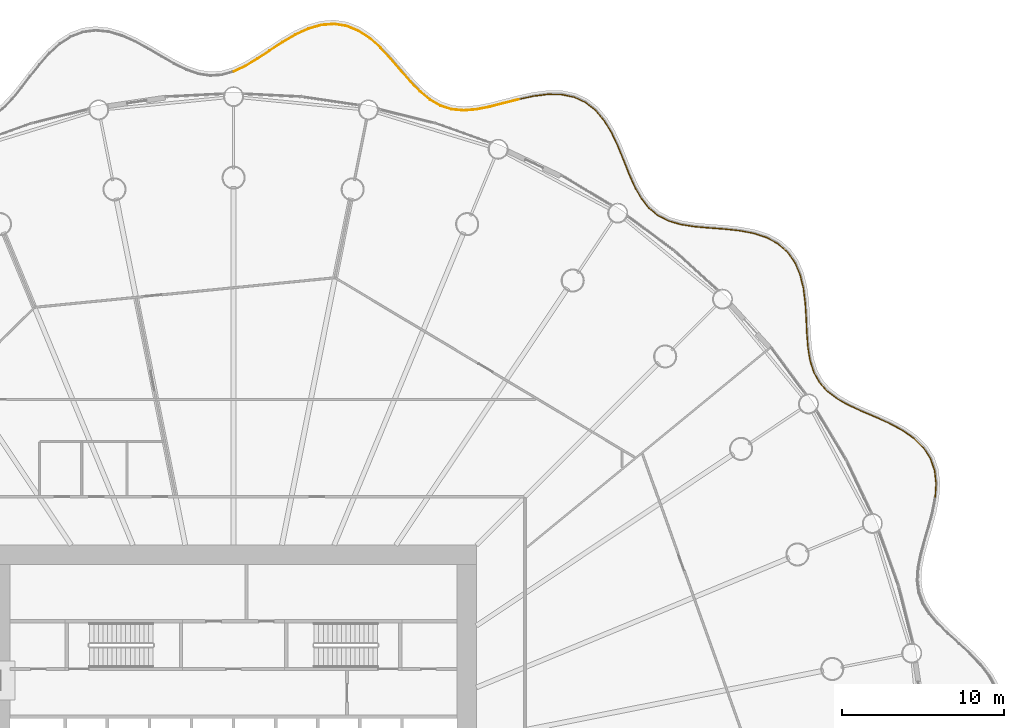
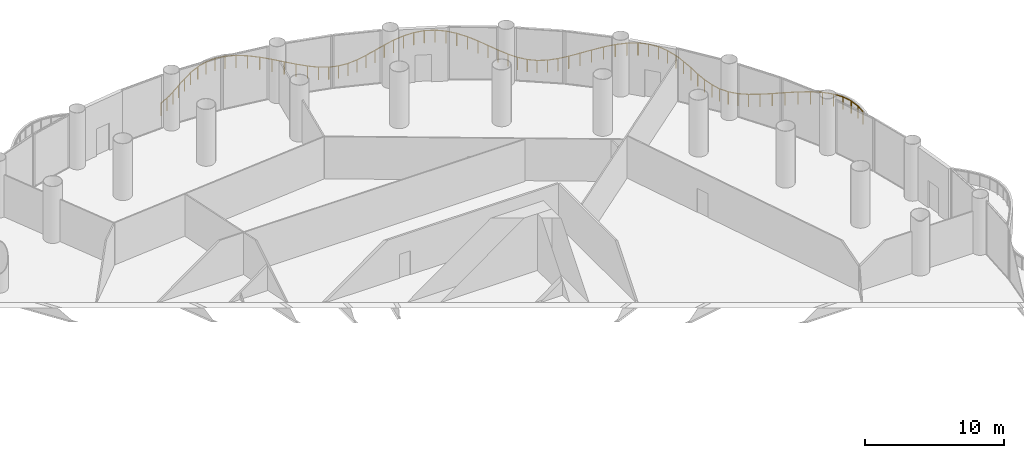
# One storey, part 35 of 35: 3 railings.
"""IFC4 building model written with IfcOpenShell, lengths in metres."""

from ifc_helpers import new_model, si_unit, direction, frame, origin, origin_2d, place, context, subcontext, project, spatial, circle, extrude, material, type_object, element, save


model = new_model("IFC4")

# Units and contexts
model_context = context("Model", 3, precision=1e-05, world=origin(), true_north=direction((0.0, 1.0)))
body_context = subcontext(model_context, "Body", "Model", "MODEL_VIEW")
ifc_project = project(units=[si_unit("LENGTHUNIT", "METRE"), si_unit("AREAUNIT", "SQUARE_METRE"), si_unit("VOLUMEUNIT", "CUBIC_METRE"), si_unit("PLANEANGLEUNIT", "RADIAN"), si_unit("MASSUNIT", "GRAM", prefix="KILO")], contexts=[model_context])

# Site, building, storey
site_placement = place(None, origin())
site = spatial("IfcSite", under=ifc_project, at=site_placement, CompositionType="ELEMENT")
building_placement = place(site_placement, origin())
building = spatial("IfcBuilding", under=site, at=building_placement, Name="Corvane Civic Tower", CompositionType="ELEMENT")
storey_placement = place(building_placement, frame((0.0, 0.0, 27.0)))
storey = spatial("IfcBuildingStorey", under=building, at=storey_placement, Name="L05", CompositionType="ELEMENT", Elevation=27.0)

# Railings
ifc_material = material(Name="Steel ASTM A572 Gr 50", Category="steel")
railing_type = type_object("IfcRailingType", Name="PODIUM-RL-GUARD-1100", PredefinedType="GUARDRAIL", material=ifc_material)
railing_1_placement = place(storey_placement, frame((43.336669921875, 17.974853515625, 0.0)))
element("IfcRailing", 1, at=railing_1_placement, inside=storey, type_object=railing_type, Name="L05 ribbon guard 14", PredefinedType="GUARDRAIL", context=body_context, shape_type="SweptSolid", body=[
    extrude(circle(Radius=0.02392578125, at=origin_2d()), frame((0.0, 0.0, 1.076171875), z_axis=(0.061887576155, 0.998083126757, 0.0), x_axis=(-0.998083126757, 0.061887576155, 0.0)), (0.0, 0.0, 1.0), 0.83642578125),
    extrude(circle(Radius=0.02392578125, at=origin_2d()), frame((0.0517578125, 0.834716796875, 1.076171875), z_axis=(-0.114156592688, 0.993462768475, 0.0), x_axis=(-0.993462768475, -0.114156592688, 0.0)), (0.0, 0.0, 1.0), 0.812744140625),
    extrude(circle(Radius=0.02392578125, at=origin_2d()), frame((-0.041015625, 1.64208984375, 1.076171875), z_axis=(-0.328375339933, 0.944547318097, 0.0), x_axis=(-0.944547318097, -0.328375339933, 0.0)), (0.0, 0.0, 1.0), 0.7822265625),
    extrude(circle(Radius=0.02392578125, at=origin_2d()), frame((-0.2978515625, 2.380859375, 1.076171875), z_axis=(-0.541119467015, 0.840945730959, 0.0), x_axis=(-0.840945730959, -0.541119467015, 0.0)), (0.0, 0.0, 1.0), 0.7841796875),
    extrude(circle(Radius=0.02392578125, at=origin_2d()), frame((-0.72216796875, 3.040283203125, 1.076171875), z_axis=(-0.709343264461, 0.704863201738, 0.0), x_axis=(-0.704863201738, -0.709343264461, 0.0)), (0.0, 0.0, 1.0), 0.8173828125),
    extrude(circle(Radius=0.02392578125, at=origin_2d()), frame((-1.302001953125, 3.616455078125, 1.076171875), z_axis=(-0.818635721865, 0.574313115718, 0.0), x_axis=(-0.574313115718, -0.818635721865, 0.0)), (0.0, 0.0, 1.0), 0.866455078125),
    extrude(circle(Radius=0.02392578125, at=origin_2d()), frame((-2.01123046875, 4.114013671875, 1.076171875), z_axis=(-0.88067761825, 0.473716088721, 0.0), x_axis=(-0.473716088721, -0.88067761825, 0.0)), (0.0, 0.0, 1.0), 0.91064453125),
    extrude(circle(Radius=0.02392578125, at=origin_2d()), frame((-2.813232421875, 4.54541015625, 1.076171875), z_axis=(-0.911161682007, 0.412049013155, 0.0), x_axis=(-0.412049013155, -0.911161682007, 0.0)), (0.0, 0.0, 1.0), 0.933837890625),
    extrude(circle(Radius=0.02392578125, at=origin_2d()), frame((-3.6640625, 4.93017578125, 1.076171875), z_axis=(-0.920015181369, 0.391882719764, 0.0), x_axis=(-0.391882719764, -0.920015181369, 0.0)), (0.0, 0.0, 1.0), 0.926513671875),
    extrude(circle(Radius=0.02392578125, at=origin_2d()), frame((-4.516357421875, 5.293212890625, 1.076171875), z_axis=(-0.909688003863, 0.41529234959, 0.0), x_axis=(-0.41529234959, -0.909688003863, 0.0)), (0.0, 0.0, 1.0), 0.888916015625),
    extrude(circle(Radius=0.02392578125, at=origin_2d()), frame((-5.324951171875, 5.662353515625, 1.076171875), z_axis=(-0.874115666585, 0.485717820787, 0.0), x_axis=(-0.485717820787, -0.874115666585, 0.0)), (0.0, 0.0, 1.0), 0.830322265625),
    extrude(circle(Radius=0.02392578125, at=origin_2d()), frame((-6.05078125, 6.065673828125, 1.076171875), z_axis=(-0.79812863736, 0.602487077227, 0.0), x_axis=(-0.602487077227, -0.79812863736, 0.0)), (0.0, 0.0, 1.0), 0.768798828125),
    extrude(circle(Radius=0.02392578125, at=origin_2d()), frame((-6.664306640625, 6.52880859375, 1.076171875), z_axis=(-0.66584226346, 0.746092541305, 0.0), x_axis=(-0.746092541305, -0.66584226346, 0.0)), (0.0, 0.0, 1.0), 0.72705078125),
    extrude(circle(Radius=0.02392578125, at=origin_2d()), frame((-7.1484375, 7.0712890625, 1.076171875), z_axis=(-0.485328341543, 0.874331974078, 0.0), x_axis=(-0.874331974078, -0.485328341543, 0.0)), (0.0, 0.0, 1.0), 0.724853515625),
    extrude(circle(Radius=0.02392578125, at=origin_2d()), frame((-7.500244140625, 7.705078125, 1.076171875), z_axis=(-0.30178990041, 0.953374457394, 0.0), x_axis=(-0.953374457394, -0.30178990041, 0.0)), (0.0, 0.0, 1.0), 0.762939453125),
    extrude(circle(Radius=0.02392578125, at=origin_2d()), frame((-7.73046875, 8.432373046875, 1.076171875), z_axis=(-0.160359970746, 0.987058599974, 0.0), x_axis=(-0.987058599974, -0.160359970746, 0.0)), (0.0, 0.0, 1.0), 0.82373046875),
    extrude(circle(Radius=0.02392578125, at=origin_2d()), frame((-7.862548828125, 9.245361328125, 1.076171875), z_axis=(-0.07542872719, 0.997151195714, 0.0), x_axis=(-0.997151195714, -0.07542872719, 0.0)), (0.0, 0.0, 1.0), 0.883544921875),
    extrude(circle(Radius=0.02392578125, at=origin_2d()), frame((-7.92919921875, 10.12646484375, 1.076171875), z_axis=(-0.044928131662, 0.998990221667, 0.0), x_axis=(-0.998990221667, -0.044928131662, 0.0)), (0.0, 0.0, 1.0), 0.923828125),
    extrude(circle(Radius=0.02392578125, at=origin_2d()), frame((-7.970703125, 11.04931640625, 1.076171875), z_axis=(-0.061662540567, 0.998097054945, 0.0), x_axis=(-0.998097054945, -0.061662540567, 0.0)), (0.0, 0.0, 1.0), 0.934326171875),
    extrude(circle(Radius=0.02392578125, at=origin_2d()), frame((-8.0283203125, 11.98193359375, 1.076171875), z_axis=(-0.125480400007, 0.99209609878, 0.0), x_axis=(-0.99209609878, -0.125480400007, 0.0)), (0.0, 0.0, 1.0), 0.91455078125),
    extrude(circle(Radius=0.02392578125, at=origin_2d()), frame((-8.14306640625, 12.88916015625, 1.076171875), z_axis=(-0.236401609899, 0.971655432155, 0.0), x_axis=(-0.971655432155, -0.236401609899, 0.0)), (0.0, 0.0, 1.0), 0.87158203125),
    extrude(circle(Radius=0.02392578125, at=origin_2d()), frame((-8.34912109375, 13.736083984375, 1.076171875), z_axis=(-0.392843922588, 0.919605161189, 0.0), x_axis=(-0.919605161189, -0.392843922588, 0.0)), (0.0, 0.0, 1.0), 0.822265625),
    extrude(circle(Radius=0.02392578125, at=origin_2d()), frame((-8.672119140625, 14.4921875, 1.076171875), z_axis=(-0.578060431514, 0.81599395679, 0.0), x_axis=(-0.81599395679, -0.578060431514, 0.0)), (0.0, 0.0, 1.0), 0.785888671875),
    extrude(circle(Radius=0.02392578125, at=origin_2d()), frame((-9.12646484375, 15.133544921875, 1.076171875), z_axis=(-0.753136596258, 0.657864170917, 0.0), x_axis=(-0.657864170917, -0.753136596258, 0.0)), (0.0, 0.0, 1.0), 0.755859375),
    extrude(circle(Radius=0.02099609375, at=origin_2d()), origin(), (0.0, 0.0, 1.0), 1.052001953125),
    extrude(circle(Radius=0.02099609375, at=origin_2d()), frame((0.0517578125, 0.834716796875, 0.0)), (0.0, 0.0, 1.0), 1.052001953125),
    extrude(circle(Radius=0.02099609375, at=origin_2d()), frame((-0.041015625, 1.64208984375, 0.0)), (0.0, 0.0, 1.0), 1.052001953125),
    extrude(circle(Radius=0.02099609375, at=origin_2d()), frame((-0.2978515625, 2.380859375, 0.0)), (0.0, 0.0, 1.0), 1.052001953125),
    extrude(circle(Radius=0.02099609375, at=origin_2d()), frame((-0.72216796875, 3.040283203125, 0.0)), (0.0, 0.0, 1.0), 1.052001953125),
    extrude(circle(Radius=0.02099609375, at=origin_2d()), frame((-1.302001953125, 3.616455078125, 0.0)), (0.0, 0.0, 1.0), 1.052001953125),
    extrude(circle(Radius=0.02099609375, at=origin_2d()), frame((-2.01123046875, 4.114013671875, 0.0)), (0.0, 0.0, 1.0), 1.052001953125),
    extrude(circle(Radius=0.02099609375, at=origin_2d()), frame((-2.813232421875, 4.54541015625, 0.0)), (0.0, 0.0, 1.0), 1.052001953125),
    extrude(circle(Radius=0.02099609375, at=origin_2d()), frame((-3.6640625, 4.93017578125, 0.0)), (0.0, 0.0, 1.0), 1.052001953125),
    extrude(circle(Radius=0.02099609375, at=origin_2d()), frame((-4.516357421875, 5.293212890625, 0.0)), (0.0, 0.0, 1.0), 1.052001953125),
    extrude(circle(Radius=0.02099609375, at=origin_2d()), frame((-5.324951171875, 5.662353515625, 0.0)), (0.0, 0.0, 1.0), 1.052001953125),
    extrude(circle(Radius=0.02099609375, at=origin_2d()), frame((-6.05078125, 6.065673828125, 0.0)), (0.0, 0.0, 1.0), 1.052001953125),
    extrude(circle(Radius=0.02099609375, at=origin_2d()), frame((-6.664306640625, 6.52880859375, 0.0)), (0.0, 0.0, 1.0), 1.052001953125),
    extrude(circle(Radius=0.02099609375, at=origin_2d()), frame((-7.1484375, 7.0712890625, 0.0)), (0.0, 0.0, 1.0), 1.052001953125),
    extrude(circle(Radius=0.02099609375, at=origin_2d()), frame((-7.500244140625, 7.705078125, 0.0)), (0.0, 0.0, 1.0), 1.052001953125),
    extrude(circle(Radius=0.02099609375, at=origin_2d()), frame((-7.73046875, 8.432373046875, 0.0)), (0.0, 0.0, 1.0), 1.052001953125),
    extrude(circle(Radius=0.02099609375, at=origin_2d()), frame((-7.862548828125, 9.245361328125, 0.0)), (0.0, 0.0, 1.0), 1.052001953125),
    extrude(circle(Radius=0.02099609375, at=origin_2d()), frame((-7.92919921875, 10.12646484375, 0.0)), (0.0, 0.0, 1.0), 1.052001953125),
    extrude(circle(Radius=0.02099609375, at=origin_2d()), frame((-7.970703125, 11.04931640625, 0.0)), (0.0, 0.0, 1.0), 1.052001953125),
    extrude(circle(Radius=0.02099609375, at=origin_2d()), frame((-8.0283203125, 11.98193359375, 0.0)), (0.0, 0.0, 1.0), 1.052001953125),
    extrude(circle(Radius=0.02099609375, at=origin_2d()), frame((-8.14306640625, 12.88916015625, 0.0)), (0.0, 0.0, 1.0), 1.052001953125),
    extrude(circle(Radius=0.02099609375, at=origin_2d()), frame((-8.34912109375, 13.736083984375, 0.0)), (0.0, 0.0, 1.0), 1.052001953125),
    extrude(circle(Radius=0.02099609375, at=origin_2d()), frame((-8.672119140625, 14.4921875, 0.0)), (0.0, 0.0, 1.0), 1.052001953125),
    extrude(circle(Radius=0.02099609375, at=origin_2d()), frame((-9.12646484375, 15.133544921875, 0.0)), (0.0, 0.0, 1.0), 1.052001953125),
    extrude(circle(Radius=0.02099609375, at=origin_2d()), frame((-9.69580078125, 15.630859375, 0.0)), (0.0, 0.0, 1.0), 1.052001953125),
])
railing_2_placement = place(storey_placement, frame((33.60009765625, 33.6337890625, 0.0)))
element("IfcRailing", 2, at=railing_2_placement, inside=storey, type_object=railing_type, Name="L05 ribbon guard 15", PredefinedType="GUARDRAIL", context=body_context, shape_type="SweptSolid", body=[
    extrude(circle(Radius=0.02392578125, at=origin_2d()), frame((0.0, 0.0, 1.076171875), z_axis=(-0.880361004263, 0.474304229554, 0.0), x_axis=(-0.474304229554, -0.880361004263, 0.0)), (0.0, 0.0, 1.0), 0.783447265625),
    extrude(circle(Radius=0.02392578125, at=origin_2d()), frame((-0.689697265625, 0.37158203125, 1.076171875), z_axis=(-0.951552568716, 0.307486111833, 0.0), x_axis=(-0.307486111833, -0.951552568716, 0.0)), (0.0, 0.0, 1.0), 0.85595703125),
    extrude(circle(Radius=0.02392578125, at=origin_2d()), frame((-1.504150390625, 0.634765625, 1.076171875), z_axis=(-0.983249711201, 0.182263560327, 0.0), x_axis=(-0.182263560327, -0.983249711201, 0.0)), (0.0, 0.0, 1.0), 0.90283203125),
    extrude(circle(Radius=0.02392578125, at=origin_2d()), frame((-2.391845703125, 0.79931640625, 1.076171875), z_axis=(-0.994539880598, 0.104357203395, 0.0), x_axis=(-0.104357203395, -0.994539880598, 0.0)), (0.0, 0.0, 1.0), 0.93115234375),
    extrude(circle(Radius=0.02392578125, at=origin_2d()), frame((-3.31787109375, 0.896484375, 1.076171875), z_axis=(-0.997356492386, 0.072663794948, 0.0), x_axis=(-0.072663794948, -0.997356492386, 0.0)), (0.0, 0.0, 1.0), 0.9306640625),
    extrude(circle(Radius=0.02392578125, at=origin_2d()), frame((-4.24609375, 0.964111328125, 1.076171875), z_axis=(-0.996145220254, 0.087719440061, 0.0), x_axis=(-0.087719440061, -0.996145220254, 0.0)), (0.0, 0.0, 1.0), 0.89892578125),
    extrude(circle(Radius=0.02392578125, at=origin_2d()), frame((-5.1416015625, 1.04296875, 1.076171875), z_axis=(-0.987942969504, 0.154818245075, 0.0), x_axis=(-0.154818245075, -0.987942969504, 0.0)), (0.0, 0.0, 1.0), 0.84375),
    extrude(circle(Radius=0.02392578125, at=origin_2d()), frame((-5.97509765625, 1.173583984375, 1.076171875), z_axis=(-0.960669700127, 0.277693585193, 0.0), x_axis=(-0.277693585193, -0.960669700127, 0.0)), (0.0, 0.0, 1.0), 0.78076171875),
    extrude(circle(Radius=0.02392578125, at=origin_2d()), frame((-6.72509765625, 1.390380859375, 1.076171875), z_axis=(-0.893091245841, 0.449875567909, 0.0), x_axis=(-0.449875567909, -0.893091245841, 0.0)), (0.0, 0.0, 1.0), 0.733154296875),
    extrude(circle(Radius=0.02392578125, at=origin_2d()), frame((-7.3798828125, 1.72021484375, 1.076171875), z_axis=(-0.773218013178, 0.634140287394, 0.0), x_axis=(-0.634140287394, -0.773218013178, 0.0)), (0.0, 0.0, 1.0), 0.721435546875),
    extrude(circle(Radius=0.02392578125, at=origin_2d()), frame((-7.937744140625, 2.177734375, 1.076171875), z_axis=(-0.625288442745, 0.780393723302, 0.0), x_axis=(-0.780393723302, -0.625288442745, 0.0)), (0.0, 0.0, 1.0), 0.75244140625),
    extrude(circle(Radius=0.02392578125, at=origin_2d()), frame((-8.408203125, 2.764892578125, 1.076171875), z_axis=(-0.494547800989, 0.869150431477, 0.0), x_axis=(-0.869150431477, -0.494547800989, 0.0)), (0.0, 0.0, 1.0), 0.81005859375),
    extrude(circle(Radius=0.02392578125, at=origin_2d()), frame((-8.808837890625, 3.468994140625, 1.076171875), z_axis=(-0.407359011643, 0.913268107202, 0.0), x_axis=(-0.913268107202, -0.407359011643, 0.0)), (0.0, 0.0, 1.0), 0.8720703125),
    extrude(circle(Radius=0.02392578125, at=origin_2d()), frame((-9.1640625, 4.265380859375, 1.076171875), z_axis=(-0.36872877104, 0.929537031757, 0.0), x_axis=(-0.929537031757, -0.36872877104, 0.0)), (0.0, 0.0, 1.0), 0.917724609375),
    extrude(circle(Radius=0.02392578125, at=origin_2d()), frame((-9.50244140625, 5.118408203125, 1.076171875), z_axis=(-0.375844544912, 0.926682727831, 0.0), x_axis=(-0.926682727831, -0.375844544912, 0.0)), (0.0, 0.0, 1.0), 0.934814453125),
    extrude(circle(Radius=0.02392578125, at=origin_2d()), frame((-9.853759765625, 5.984619140625, 1.076171875), z_axis=(-0.424916002999, 0.905232782435, 0.0), x_axis=(-0.905232782435, -0.424916002999, 0.0)), (0.0, 0.0, 1.0), 0.921142578125),
    extrude(circle(Radius=0.02392578125, at=origin_2d()), frame((-10.2451171875, 6.818359375, 1.076171875), z_axis=(-0.515309933617, 0.857003892824, 0.0), x_axis=(-0.857003892824, -0.515309933617, 0.0)), (0.0, 0.0, 1.0), 0.881591796875),
    extrude(circle(Radius=0.02392578125, at=origin_2d()), frame((-10.699462890625, 7.573974609375, 1.076171875), z_axis=(-0.64055952996, 0.767908515761, 0.0), x_axis=(-0.767908515761, -0.64055952996, 0.0)), (0.0, 0.0, 1.0), 0.83203125),
    extrude(circle(Radius=0.02392578125, at=origin_2d()), frame((-11.232421875, 8.212890625, 1.076171875), z_axis=(-0.782850211169, 0.622210211161, 0.0), x_axis=(-0.622210211161, -0.782850211169, 0.0)), (0.0, 0.0, 1.0), 0.791748046875),
    extrude(circle(Radius=0.02392578125, at=origin_2d()), frame((-11.852294921875, 8.70556640625, 1.076171875), z_axis=(-0.905958848672, 0.42336575737, 0.0), x_axis=(-0.42336575737, -0.905958848672, 0.0)), (0.0, 0.0, 1.0), 0.779052734375),
    extrude(circle(Radius=0.02392578125, at=origin_2d()), frame((-12.55810546875, 9.035400390625, 1.076171875), z_axis=(-0.978559496335, 0.20596434675, 0.0), x_axis=(-0.20596434675, -0.978559496335, 0.0)), (0.0, 0.0, 1.0), 0.800048828125),
    extrude(circle(Radius=0.02392578125, at=origin_2d()), frame((-13.341064453125, 9.2001953125, 1.076171875), z_axis=(-0.999873829142, 0.015884766205, 0.0), x_axis=(-0.015884766205, -0.999873829142, 0.0)), (0.0, 0.0, 1.0), 0.84521484375),
    extrude(circle(Radius=0.02392578125, at=origin_2d()), frame((-14.186279296875, 9.213623046875, 1.076171875), z_axis=(-0.992282078148, -0.124001118491, 0.0), x_axis=(0.124001118491, -0.992282078148, 0.0)), (0.0, 0.0, 1.0), 0.893798828125),
    extrude(circle(Radius=0.02392578125, at=origin_2d()), frame((-15.0732421875, 9.102783203125, 1.076171875), z_axis=(-0.977300736575, -0.211856721135, 0.0), x_axis=(0.211856721135, -0.977300736575, 0.0)), (0.0, 0.0, 1.0), 0.90234375),
    extrude(circle(Radius=0.02099609375, at=origin_2d()), origin(), (0.0, 0.0, 1.0), 1.052001953125),
    extrude(circle(Radius=0.02099609375, at=origin_2d()), frame((-0.689697265625, 0.37158203125, 0.0)), (0.0, 0.0, 1.0), 1.052001953125),
    extrude(circle(Radius=0.02099609375, at=origin_2d()), frame((-1.504150390625, 0.634765625, 0.0)), (0.0, 0.0, 1.0), 1.052001953125),
    extrude(circle(Radius=0.02099609375, at=origin_2d()), frame((-2.391845703125, 0.79931640625, 0.0)), (0.0, 0.0, 1.0), 1.052001953125),
    extrude(circle(Radius=0.02099609375, at=origin_2d()), frame((-3.31787109375, 0.896484375, 0.0)), (0.0, 0.0, 1.0), 1.052001953125),
    extrude(circle(Radius=0.02099609375, at=origin_2d()), frame((-4.24609375, 0.964111328125, 0.0)), (0.0, 0.0, 1.0), 1.052001953125),
    extrude(circle(Radius=0.02099609375, at=origin_2d()), frame((-5.1416015625, 1.04296875, 0.0)), (0.0, 0.0, 1.0), 1.052001953125),
    extrude(circle(Radius=0.02099609375, at=origin_2d()), frame((-5.97509765625, 1.173583984375, 0.0)), (0.0, 0.0, 1.0), 1.052001953125),
    extrude(circle(Radius=0.02099609375, at=origin_2d()), frame((-6.72509765625, 1.390380859375, 0.0)), (0.0, 0.0, 1.0), 1.052001953125),
    extrude(circle(Radius=0.02099609375, at=origin_2d()), frame((-7.3798828125, 1.72021484375, 0.0)), (0.0, 0.0, 1.0), 1.052001953125),
    extrude(circle(Radius=0.02099609375, at=origin_2d()), frame((-7.937744140625, 2.177734375, 0.0)), (0.0, 0.0, 1.0), 1.052001953125),
    extrude(circle(Radius=0.02099609375, at=origin_2d()), frame((-8.408203125, 2.764892578125, 0.0)), (0.0, 0.0, 1.0), 1.052001953125),
    extrude(circle(Radius=0.02099609375, at=origin_2d()), frame((-8.808837890625, 3.468994140625, 0.0)), (0.0, 0.0, 1.0), 1.052001953125),
    extrude(circle(Radius=0.02099609375, at=origin_2d()), frame((-9.1640625, 4.265380859375, 0.0)), (0.0, 0.0, 1.0), 1.052001953125),
    extrude(circle(Radius=0.02099609375, at=origin_2d()), frame((-9.50244140625, 5.118408203125, 0.0)), (0.0, 0.0, 1.0), 1.052001953125),
    extrude(circle(Radius=0.02099609375, at=origin_2d()), frame((-9.853759765625, 5.984619140625, 0.0)), (0.0, 0.0, 1.0), 1.052001953125),
    extrude(circle(Radius=0.02099609375, at=origin_2d()), frame((-10.2451171875, 6.818359375, 0.0)), (0.0, 0.0, 1.0), 1.052001953125),
    extrude(circle(Radius=0.02099609375, at=origin_2d()), frame((-10.699462890625, 7.573974609375, 0.0)), (0.0, 0.0, 1.0), 1.052001953125),
    extrude(circle(Radius=0.02099609375, at=origin_2d()), frame((-11.232421875, 8.212890625, 0.0)), (0.0, 0.0, 1.0), 1.052001953125),
    extrude(circle(Radius=0.02099609375, at=origin_2d()), frame((-11.852294921875, 8.70556640625, 0.0)), (0.0, 0.0, 1.0), 1.052001953125),
    extrude(circle(Radius=0.02099609375, at=origin_2d()), frame((-12.55810546875, 9.035400390625, 0.0)), (0.0, 0.0, 1.0), 1.052001953125),
    extrude(circle(Radius=0.02099609375, at=origin_2d()), frame((-13.341064453125, 9.2001953125, 0.0)), (0.0, 0.0, 1.0), 1.052001953125),
    extrude(circle(Radius=0.02099609375, at=origin_2d()), frame((-14.186279296875, 9.213623046875, 0.0)), (0.0, 0.0, 1.0), 1.052001953125),
    extrude(circle(Radius=0.02099609375, at=origin_2d()), frame((-15.0732421875, 9.102783203125, 0.0)), (0.0, 0.0, 1.0), 1.052001953125),
    extrude(circle(Radius=0.02099609375, at=origin_2d()), frame((-15.955078125, 8.91162109375, 0.0)), (0.0, 0.0, 1.0), 1.052001953125),
])
railing_3_placement = place(storey_placement, frame((17.596435546875, 42.53369140625, 0.0)))
element("IfcRailing", 3, at=railing_3_placement, inside=storey, type_object=railing_type, Name="L05 ribbon guard 16", PredefinedType="GUARDRAIL", context=body_context, shape_type="SweptSolid", body=[
    extrude(circle(Radius=0.02392578125, at=origin_2d()), frame((0.0, 0.0, 1.076171875), z_axis=(-0.967625834901, -0.252389071937, 0.0), x_axis=(0.252389071937, -0.967625834901, 0.0)), (0.0, 0.0, 1.0), 0.908203125),
    extrude(circle(Radius=0.02392578125, at=origin_2d()), frame((-0.87890625, -0.229248046875, 1.076171875), z_axis=(-0.968928678402, -0.247340284165, 0.0), x_axis=(0.247340284165, -0.968928678402, 0.0)), (0.0, 0.0, 1.0), 0.908203125),
    extrude(circle(Radius=0.02392578125, at=origin_2d()), frame((-1.7587890625, -0.453857421875, 1.076171875), z_axis=(-0.981157277714, -0.193210756401, 0.0), x_axis=(0.193210756401, -0.981157277714, 0.0)), (0.0, 0.0, 1.0), 0.856689453125),
    extrude(circle(Radius=0.02392578125, at=origin_2d()), frame((-2.599365234375, -0.619384765625, 1.076171875), z_axis=(-0.996719662281, -0.080931544051, 0.0), x_axis=(0.080931544051, -0.996719662281, 0.0)), (0.0, 0.0, 1.0), 0.79345703125),
    extrude(circle(Radius=0.02392578125, at=origin_2d()), frame((-3.39013671875, -0.68359375, 1.076171875), z_axis=(-0.995671475827, 0.09294252108, 0.0), x_axis=(-0.09294252108, -0.995671475827, 0.0)), (0.0, 0.0, 1.0), 0.74072265625),
    extrude(circle(Radius=0.02392578125, at=origin_2d()), frame((-4.127685546875, -0.61474609375, 1.076171875), z_axis=(-0.952671741947, 0.304000908049, 0.0), x_axis=(-0.304000908049, -0.952671741947, 0.0)), (0.0, 0.0, 1.0), 0.720458984375),
    extrude(circle(Radius=0.02392578125, at=origin_2d()), frame((-4.81396484375, -0.395751953125, 1.076171875), z_axis=(-0.865928333736, 0.500168092579, 0.0), x_axis=(-0.500168092579, -0.865928333736, 0.0)), (0.0, 0.0, 1.0), 0.742919921875),
    extrude(circle(Radius=0.02392578125, at=origin_2d()), frame((-5.457275390625, -0.024169921875, 1.076171875), z_axis=(-0.768246397082, 0.640154257481, 0.0), x_axis=(-0.640154257481, -0.768246397082, 0.0)), (0.0, 0.0, 1.0), 0.796630859375),
    extrude(circle(Radius=0.02392578125, at=origin_2d()), frame((-6.0693359375, 0.48583984375, 1.076171875), z_axis=(-0.693057647536, 0.720882165955, 0.0), x_axis=(-0.720882165955, -0.693057647536, 0.0)), (0.0, 0.0, 1.0), 0.85986328125),
    extrude(circle(Radius=0.02392578125, at=origin_2d()), frame((-6.665283203125, 1.105712890625, 1.076171875), z_axis=(-0.654297095356, 0.756237602218, 0.0), x_axis=(-0.756237602218, -0.654297095356, 0.0)), (0.0, 0.0, 1.0), 0.91015625),
    extrude(circle(Radius=0.02392578125, at=origin_2d()), frame((-7.2607421875, 1.7939453125, 1.076171875), z_axis=(-0.652039268828, 0.758185196312, 0.0), x_axis=(-0.758185196312, -0.652039268828, 0.0)), (0.0, 0.0, 1.0), 0.933837890625),
    extrude(circle(Radius=0.02392578125, at=origin_2d()), frame((-7.86962890625, 2.501953125, 1.076171875), z_axis=(-0.684896018256, 0.72864081973, 0.0), x_axis=(-0.72864081973, -0.684896018256, 0.0)), (0.0, 0.0, 1.0), 0.926513671875),
    extrude(circle(Radius=0.02392578125, at=origin_2d()), frame((-8.504150390625, 3.177001953125, 1.076171875), z_axis=(-0.748797877953, 0.662798414281, 0.0), x_axis=(-0.662798414281, -0.748797877953, 0.0)), (0.0, 0.0, 1.0), 0.891357421875),
    extrude(circle(Radius=0.02392578125, at=origin_2d()), frame((-9.171630859375, 3.767822265625, 1.076171875), z_axis=(-0.835511617619, 0.549472780786, 0.0), x_axis=(-0.549472780786, -0.835511617619, 0.0)), (0.0, 0.0, 1.0), 0.842529296875),
    extrude(circle(Radius=0.02392578125, at=origin_2d()), frame((-9.87548828125, 4.230712890625, 1.076171875), z_axis=(-0.925945868411, 0.377656257426, 0.0), x_axis=(-0.377656257426, -0.925945868411, 0.0)), (0.0, 0.0, 1.0), 0.79833984375),
    extrude(circle(Radius=0.02392578125, at=origin_2d()), frame((-10.61474609375, 4.5322265625, 1.076171875), z_axis=(-0.987740079957, 0.156107445198, 0.0), x_axis=(-0.156107445198, -0.987740079957, 0.0)), (0.0, 0.0, 1.0), 0.77880859375),
    extrude(circle(Radius=0.02392578125, at=origin_2d()), frame((-11.384033203125, 4.65380859375, 1.076171875), z_axis=(-0.997036356128, -0.076931817602, 0.0), x_axis=(0.076931817602, -0.997036356128, 0.0)), (0.0, 0.0, 1.0), 0.79345703125),
    extrude(circle(Radius=0.02392578125, at=origin_2d()), frame((-12.175048828125, 4.5927734375, 1.076171875), z_axis=(-0.96138033596, -0.275223272327, 0.0), x_axis=(0.275223272327, -0.96138033596, 0.0)), (0.0, 0.0, 1.0), 0.834716796875),
    extrude(circle(Radius=0.02392578125, at=origin_2d()), frame((-12.9775390625, 4.363037109375, 1.076171875), z_axis=(-0.909047390124, -0.416692743529, 0.0), x_axis=(0.416692743529, -0.909047390124, 0.0)), (0.0, 0.0, 1.0), 0.884033203125),
    extrude(circle(Radius=0.02392578125, at=origin_2d()), frame((-13.78125, 3.99462890625, 1.076171875), z_axis=(-0.863000398501, -0.505203238497, 0.0), x_axis=(0.505203238497, -0.863000398501, 0.0)), (0.0, 0.0, 1.0), 0.922607421875),
    extrude(circle(Radius=0.02392578125, at=origin_2d()), frame((-14.577392578125, 3.528564453125, 1.076171875), z_axis=(-0.835928065032, -0.548839020198, 0.0), x_axis=(0.548839020198, -0.835928065032, 0.0)), (0.0, 0.0, 1.0), 0.9345703125),
    extrude(circle(Radius=0.02392578125, at=origin_2d()), frame((-15.358642578125, 3.015625, 1.076171875), z_axis=(-0.833278542405, -0.552853389939, 0.0), x_axis=(0.552853389939, -0.833278542405, 0.0)), (0.0, 0.0, 1.0), 0.915771484375),
    extrude(circle(Radius=0.02392578125, at=origin_2d()), frame((-16.121826171875, 2.50927734375, 1.076171875), z_axis=(-0.857071265822, -0.515197870048, 0.0), x_axis=(0.515197870048, -0.857071265822, 0.0)), (0.0, 0.0, 1.0), 0.869140625),
    extrude(circle(Radius=0.02392578125, at=origin_2d()), frame((-16.86669921875, 2.0615234375, 1.076171875), z_axis=(-0.904556619747, -0.42635351725, 0.0), x_axis=(0.42635351725, -0.904556619747, 0.0)), (0.0, 0.0, 1.0), 0.78173828125),
    extrude(circle(Radius=0.02099609375, at=origin_2d()), origin(), (0.0, 0.0, 1.0), 1.052001953125),
    extrude(circle(Radius=0.02099609375, at=origin_2d()), frame((-0.87890625, -0.229248046875, 0.0)), (0.0, 0.0, 1.0), 1.052001953125),
    extrude(circle(Radius=0.02099609375, at=origin_2d()), frame((-1.7587890625, -0.453857421875, 0.0)), (0.0, 0.0, 1.0), 1.052001953125),
    extrude(circle(Radius=0.02099609375, at=origin_2d()), frame((-2.599365234375, -0.619384765625, 0.0)), (0.0, 0.0, 1.0), 1.052001953125),
    extrude(circle(Radius=0.02099609375, at=origin_2d()), frame((-3.39013671875, -0.68359375, 0.0)), (0.0, 0.0, 1.0), 1.052001953125),
    extrude(circle(Radius=0.02099609375, at=origin_2d()), frame((-4.127685546875, -0.61474609375, 0.0)), (0.0, 0.0, 1.0), 1.052001953125),
    extrude(circle(Radius=0.02099609375, at=origin_2d()), frame((-4.81396484375, -0.395751953125, 0.0)), (0.0, 0.0, 1.0), 1.052001953125),
    extrude(circle(Radius=0.02099609375, at=origin_2d()), frame((-5.457275390625, -0.024169921875, 0.0)), (0.0, 0.0, 1.0), 1.052001953125),
    extrude(circle(Radius=0.02099609375, at=origin_2d()), frame((-6.0693359375, 0.48583984375, 0.0)), (0.0, 0.0, 1.0), 1.052001953125),
    extrude(circle(Radius=0.02099609375, at=origin_2d()), frame((-6.665283203125, 1.105712890625, 0.0)), (0.0, 0.0, 1.0), 1.052001953125),
    extrude(circle(Radius=0.02099609375, at=origin_2d()), frame((-7.2607421875, 1.7939453125, 0.0)), (0.0, 0.0, 1.0), 1.052001953125),
    extrude(circle(Radius=0.02099609375, at=origin_2d()), frame((-7.86962890625, 2.501953125, 0.0)), (0.0, 0.0, 1.0), 1.052001953125),
    extrude(circle(Radius=0.02099609375, at=origin_2d()), frame((-8.504150390625, 3.177001953125, 0.0)), (0.0, 0.0, 1.0), 1.052001953125),
    extrude(circle(Radius=0.02099609375, at=origin_2d()), frame((-9.171630859375, 3.767822265625, 0.0)), (0.0, 0.0, 1.0), 1.052001953125),
    extrude(circle(Radius=0.02099609375, at=origin_2d()), frame((-9.87548828125, 4.230712890625, 0.0)), (0.0, 0.0, 1.0), 1.052001953125),
    extrude(circle(Radius=0.02099609375, at=origin_2d()), frame((-10.61474609375, 4.5322265625, 0.0)), (0.0, 0.0, 1.0), 1.052001953125),
    extrude(circle(Radius=0.02099609375, at=origin_2d()), frame((-11.384033203125, 4.65380859375, 0.0)), (0.0, 0.0, 1.0), 1.052001953125),
    extrude(circle(Radius=0.02099609375, at=origin_2d()), frame((-12.175048828125, 4.5927734375, 0.0)), (0.0, 0.0, 1.0), 1.052001953125),
    extrude(circle(Radius=0.02099609375, at=origin_2d()), frame((-12.9775390625, 4.363037109375, 0.0)), (0.0, 0.0, 1.0), 1.052001953125),
    extrude(circle(Radius=0.02099609375, at=origin_2d()), frame((-13.78125, 3.99462890625, 0.0)), (0.0, 0.0, 1.0), 1.052001953125),
    extrude(circle(Radius=0.02099609375, at=origin_2d()), frame((-14.577392578125, 3.528564453125, 0.0)), (0.0, 0.0, 1.0), 1.052001953125),
    extrude(circle(Radius=0.02099609375, at=origin_2d()), frame((-15.358642578125, 3.015625, 0.0)), (0.0, 0.0, 1.0), 1.052001953125),
    extrude(circle(Radius=0.02099609375, at=origin_2d()), frame((-16.121826171875, 2.50927734375, 0.0)), (0.0, 0.0, 1.0), 1.052001953125),
    extrude(circle(Radius=0.02099609375, at=origin_2d()), frame((-16.86669921875, 2.0615234375, 0.0)), (0.0, 0.0, 1.0), 1.052001953125),
    extrude(circle(Radius=0.02099609375, at=origin_2d()), frame((-17.57373046875, 1.728271484375, 0.0)), (0.0, 0.0, 1.0), 1.052001953125),
])

save(model, "model.ifc")
